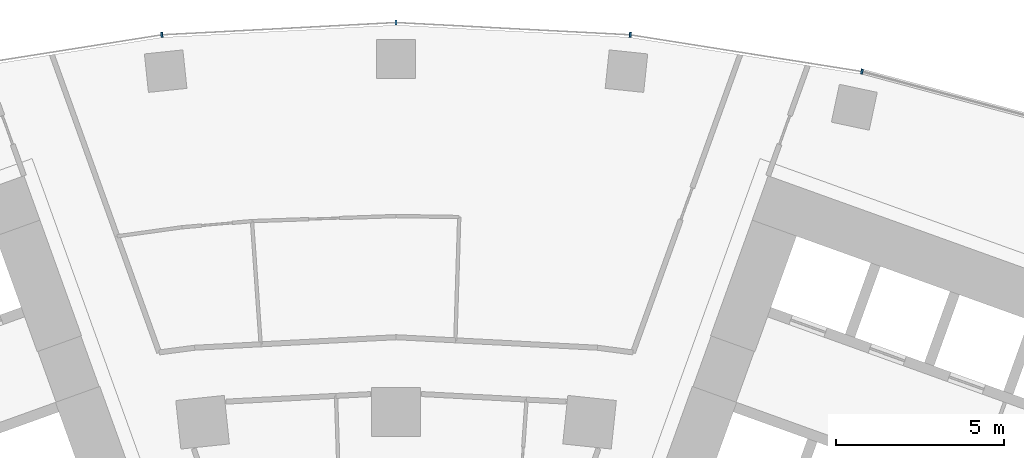
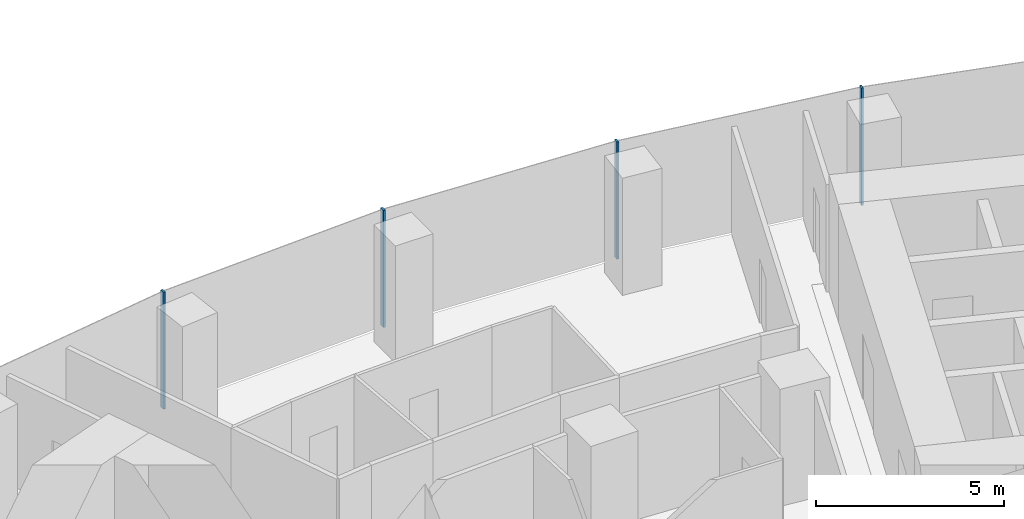
# One storey, part 6 of 21: 4 members, 1 element without a shape of its own.
"""IFC4 building model written with IfcOpenShell, lengths in metres."""

from ifc_helpers import new_model, si_unit, direction, frame, origin, origin_2d, place, context, subcontext, project, spatial, rectangle, extrude, material, layer, layer_set, material_profile, profile_set, type_object, element, aggregate, save


model = new_model("IFC4")

# Units and contexts
model_context = context("Model", 3, precision=1e-05, world=origin(), true_north=direction((0.0, 1.0)))
body_context = subcontext(model_context, "Body", "Model", "MODEL_VIEW")
ifc_project = project(units=[si_unit("LENGTHUNIT", "METRE"), si_unit("AREAUNIT", "SQUARE_METRE"), si_unit("VOLUMEUNIT", "CUBIC_METRE"), si_unit("PLANEANGLEUNIT", "RADIAN"), si_unit("MASSUNIT", "GRAM", prefix="KILO")], contexts=[model_context])

# Site, building, storey
site_placement = place(None, origin())
site = spatial("IfcSite", under=ifc_project, at=site_placement, CompositionType="ELEMENT")
building_placement = place(site_placement, origin())
building = spatial("IfcBuilding", under=site, at=building_placement, Name="Stone Belt Terrace Tower", CompositionType="ELEMENT")
storey_placement = place(building_placement, frame((0.0, 0.0, 117.39990234375)))
storey = spatial("IfcBuildingStorey", under=building, at=storey_placement, Name="L28", CompositionType="ELEMENT", Elevation=117.39990234375)

# Curtain wall, members
ifc_material = material(Name="Aluminium 6063-T6 anodised frame", Category="aluminium")
ifc_layer = layer(ifc_material, 0.14990234375)
ifc_layer_set = layer_set([ifc_layer], Name="CW-A unitised convex-face curtain wall")
curtain_wall_type = type_object("IfcCurtainWallType", Name="CW-A unitised convex-face curtain wall", PredefinedType="NOTDEFINED", material=ifc_layer_set)
curtain_wall_placement = place(storey_placement, origin())
curtain_wall = element("IfcCurtainWall", 1, at=curtain_wall_placement, inside=storey, type_object=curtain_wall_type, Name="CW-A convex face L28", PredefinedType="NOTDEFINED")
ifc_material_profile = material_profile(ifc_material, rectangle(XDim=0.14990234375, YDim=0.06005859375, at=origin_2d()), Name="Aluminium 6063-T6 60x150")
ifc_profile_set = profile_set([ifc_material_profile], Name="Aluminium 6063-T6 anodised frame")
member_type = type_object("IfcMemberType", Name="CW-A mullion 60 x 150", PredefinedType="MULLION", material=ifc_profile_set)
member_1_placement = place(storey_placement, frame((13.841796875, 65.120361328125, 0.0), z_axis=(0.0, 0.0, 1.0), x_axis=(-0.207911690818, -0.978147600734, 0.0)))
member_1 = element("IfcMember", 2, at=member_1_placement, type_object=member_type, Name="CW-A mullion 8", PredefinedType="MULLION", context=body_context, shape_type="SweptSolid", body=[
    extrude(rectangle(XDim=0.14990234375, YDim=0.06005859375, at=origin_2d()), origin(), (0.0, 0.0, 1.0), 3.800048828125),
])
member_2_placement = place(storey_placement, frame((6.958984375, 66.21044921875, 0.0), z_axis=(0.0, 0.0, 1.0), x_axis=(-0.104528463268, -0.994521895368, 0.0)))
member_2 = element("IfcMember", 3, at=member_2_placement, type_object=member_type, Name="CW-A mullion 9", PredefinedType="MULLION", context=body_context, shape_type="SweptSolid", body=[
    extrude(rectangle(XDim=0.14990234375, YDim=0.06005859375, at=origin_2d()), origin(), (0.0, 0.0, 1.0), 3.800048828125),
])
member_3_placement = place(storey_placement, frame((0.0, 66.5751953125, 0.0), z_axis=(0.0, 0.0, 1.0), x_axis=(0.0, -1.0, 0.0)))
member_3 = element("IfcMember", 4, at=member_3_placement, type_object=member_type, Name="CW-A mullion 10", PredefinedType="MULLION", context=body_context, shape_type="SweptSolid", body=[
    extrude(rectangle(XDim=0.14990234375, YDim=0.06005859375, at=origin_2d()), origin(), (0.0, 0.0, 1.0), 3.800048828125),
])
member_4_placement = place(storey_placement, frame((-6.958984375, 66.21044921875, 0.0), z_axis=(0.0, 0.0, 1.0), x_axis=(0.104528463268, -0.994521895368, 0.0)))
member_4 = element("IfcMember", 5, at=member_4_placement, type_object=member_type, Name="CW-A mullion 11", PredefinedType="MULLION", context=body_context, shape_type="SweptSolid", body=[
    extrude(rectangle(XDim=0.14990234375, YDim=0.06005859375, at=origin_2d()), origin(), (0.0, 0.0, 1.0), 3.800048828125),
])
aggregate(curtain_wall, [member_1, member_2, member_3, member_4])

save(model, "model.ifc")
